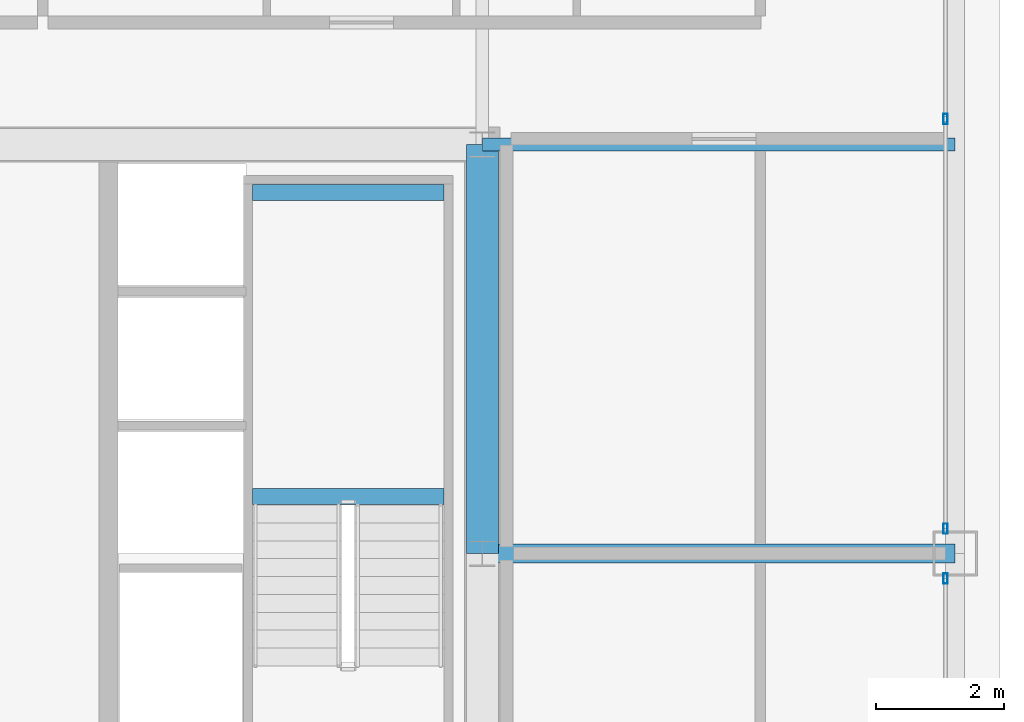
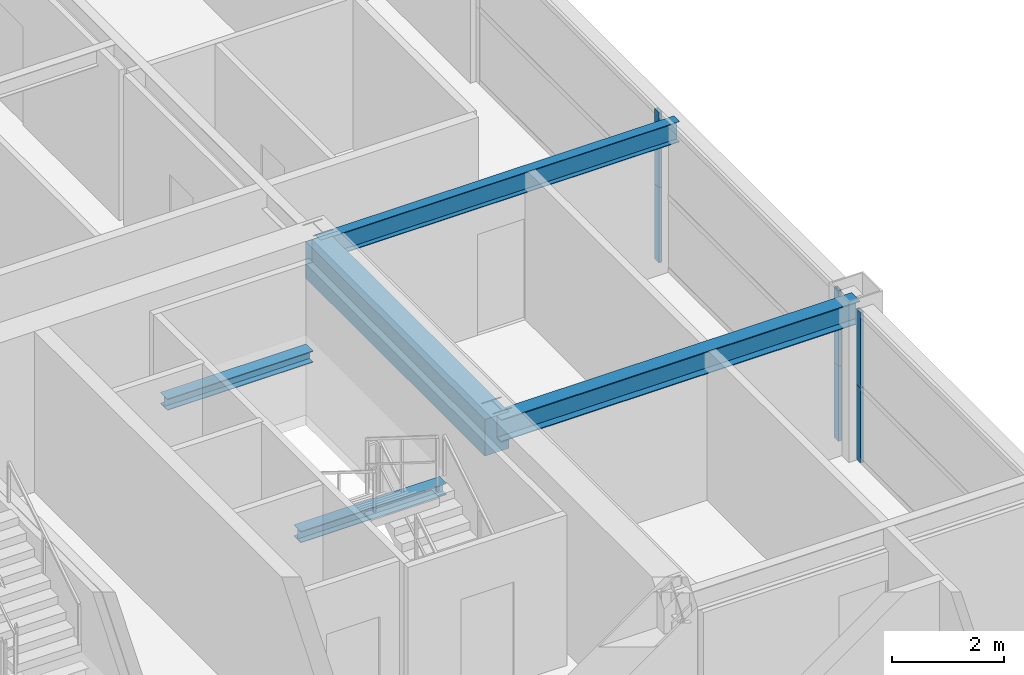
# One storey, part 20 of 37: 6 members, 5 beams, 2 elements without a shape of their own.
"""IFC4 building model written with IfcOpenShell, lengths in metres."""

import ifcopenshell
import ifcopenshell.guid

model = None  # the IFC model being written
_history = None  # IfcOwnerHistory: only IFC2X3 demands one
_inside = {}  # id of a spatial element -> (the spatial element, [elements in it])
_under = {}  # id of a project, library or spatial element -> (it, [spatial elements below it])
_declared = {}  # id of a project -> (the project, [libraries it declares])
_typed = {}  # id of a type object -> (the type object, [elements of that type])
_made_of = {}  # id of a material, layer set ... -> (it, [elements and type objects made of it])


def new_model(schema):
    """Start an empty IFC model of exactly this schema.

    Asked for "IFC4X3", IfcOpenShell would pick the latest addendum, in which some entities
    have other attributes; the version numbers below select the first issue.
    IFC2X3 requires an IfcOwnerHistory on every rooted entity: one is made here for all.
    """
    global model, _history
    if schema == "IFC4X3":
        model = ifcopenshell.file(schema_version=(4, 3, 0, 0))
    else:
        model = ifcopenshell.file(schema=schema)
    _inside.clear()
    _under.clear()
    _declared.clear()
    _typed.clear()
    _made_of.clear()
    _history = None
    if model.schema == "IFC2X3":
        org = make("IfcOrganization", Name="unknown")
        user = make(
            "IfcPersonAndOrganization",
            ThePerson=make("IfcPerson", FamilyName="unknown"),
            TheOrganization=org,
        )
        app = make(
            "IfcApplication",
            ApplicationDeveloper=org,
            Version="unknown",
            ApplicationFullName="unknown",
            ApplicationIdentifier="unknown",
        )
        _history = make(
            "IfcOwnerHistory",
            OwningUser=user,
            OwningApplication=app,
            ChangeAction="ADDED",
            CreationDate=0,
        )
    return model


def make(cls, **values):
    """One entity of the class cls with the attributes given. An attribute that is None is left unset."""
    return model.create_entity(
        cls, **{name: value for name, value in values.items() if value is not None}
    )


def rooted(cls, **values):
    """An entity with a GlobalId (a new one), such as an element, a storey or a relation."""
    return make(cls, GlobalId=ifcopenshell.guid.new(), OwnerHistory=_history, **values)


def si_unit(unit_type, name, prefix=None):
    """IfcSIUnit, for example si_unit("LENGTHUNIT", "METRE", prefix="MILLI")."""
    return make("IfcSIUnit", UnitType=unit_type, Prefix=prefix, Name=name)


def assignment(units):
    """IfcUnitAssignment: the units of a project."""
    return None if units is None else make("IfcUnitAssignment", Units=units)


def point(xyz):
    """IfcCartesianPoint."""
    return None if xyz is None else make("IfcCartesianPoint", Coordinates=xyz)


def direction(xyz):
    """IfcDirection."""
    return None if xyz is None else make("IfcDirection", DirectionRatios=xyz)


def frame(location, z_axis=None, x_axis=None):
    """IfcAxis2Placement3D, a coordinate frame: its origin and axes. An axis left out is left unset."""
    return make(
        "IfcAxis2Placement3D",
        Location=point(location),
        Axis=direction(z_axis),
        RefDirection=direction(x_axis),
    )


def frame_2d(location, x_axis=None):
    """IfcAxis2Placement2D, a coordinate frame in the plane: its origin and x axis."""
    return make(
        "IfcAxis2Placement2D", Location=point(location), RefDirection=direction(x_axis)
    )


def origin():
    """The frame at (0, 0, 0) with its axes left unset."""
    return frame((0.0, 0.0, 0.0))


def origin_2d():
    """The frame at (0, 0) in the plane with its x axis left unset."""
    return frame_2d((0.0, 0.0))


def place(relative_to, where):
    """IfcLocalPlacement: puts the frame where relative to a parent placement (None: the world)."""
    return make(
        "IfcLocalPlacement", PlacementRelTo=relative_to, RelativePlacement=where
    )


def context(
    kind, dimensions, precision=None, world=None, true_north=None, identifier=None
):
    """IfcGeometricRepresentationContext, for example the 3D "Model" context."""
    return make(
        "IfcGeometricRepresentationContext",
        ContextIdentifier=identifier,
        ContextType=kind,
        CoordinateSpaceDimension=dimensions,
        Precision=precision,
        WorldCoordinateSystem=world,
        TrueNorth=true_north,
    )


def subcontext(parent, identifier, kind, view, scale=None):
    """IfcGeometricRepresentationSubContext, for example "Body" below "Model"."""
    return make(
        "IfcGeometricRepresentationSubContext",
        ContextIdentifier=identifier,
        ContextType=kind,
        ParentContext=parent,
        TargetScale=scale,
        TargetView=view,
    )


def project(units=None, contexts=None):
    """IfcProject with its units and contexts."""
    return rooted(
        "IfcProject",
        Name="project",
        RepresentationContexts=contexts,
        UnitsInContext=assignment(units),
    )


def spatial(cls, under=None, at=None, **own):
    """A site, building, storey or space (cls), placed at a placement, below another one or the project."""
    s = rooted(cls, ObjectPlacement=at, **own)
    if under is not None:
        _under.setdefault(under.id(), (under, []))[1].append(s)
    return s


def profile(cls, at=None, kind="AREA", **sizes):
    """A parametric profile (cls). Its sizes go by their IFC names, for example OverallWidth=200.0."""
    return make(cls, ProfileType=kind, Position=at, **sizes)


def rectangle(**sizes):
    """IfcRectangleProfileDef."""
    return profile("IfcRectangleProfileDef", **sizes)


def hollow_rectangle(**sizes):
    """IfcRectangleHollowProfileDef."""
    return profile("IfcRectangleHollowProfileDef", **sizes)


def i_section(**sizes):
    """IfcIShapeProfileDef."""
    return profile("IfcIShapeProfileDef", **sizes)


def extrude(swept, where, along, depth):
    """IfcExtrudedAreaSolid: the profile swept, set in the frame where, extruded along a direction by depth."""
    return make(
        "IfcExtrudedAreaSolid",
        SweptArea=swept,
        Position=where,
        ExtrudedDirection=direction(along),
        Depth=depth,
    )


def shape(context_of_items, identifier, shape_type, items):
    """IfcShapeRepresentation: the items that make up one representation, for example the "Body"."""
    return make(
        "IfcShapeRepresentation",
        ContextOfItems=context_of_items,
        RepresentationIdentifier=identifier,
        RepresentationType=shape_type,
        Items=items,
    )


def source(mapping_origin, context_of_items, identifier, shape_type, items):
    """IfcRepresentationMap: a shape defined once, which mapped items show again and again."""
    return make(
        "IfcRepresentationMap",
        MappingOrigin=mapping_origin,
        MappedRepresentation=shape(context_of_items, identifier, shape_type, items),
    )


def transform(
    local_origin,
    x_axis=None,
    y_axis=None,
    z_axis=None,
    scale=None,
    scale2=None,
    scale3=None,
    uniform=True,
):
    """IfcCartesianTransformationOperator3D, or its non-uniform kind. x_axis, y_axis, z_axis: its Axis1, 2, 3."""
    if uniform:
        return make(
            "IfcCartesianTransformationOperator3D",
            Axis1=direction(x_axis),
            Axis2=direction(y_axis),
            LocalOrigin=point(local_origin),
            Scale=scale,
            Axis3=direction(z_axis),
        )
    return make(
        "IfcCartesianTransformationOperator3DnonUniform",
        Axis1=direction(x_axis),
        Axis2=direction(y_axis),
        LocalOrigin=point(local_origin),
        Scale=scale,
        Axis3=direction(z_axis),
        Scale2=scale2,
        Scale3=scale3,
    )


def mapped(mapping_source, mapping_target):
    """IfcMappedItem: shows the shape of a source again, moved by a transform."""
    return make(
        "IfcMappedItem", MappingSource=mapping_source, MappingTarget=mapping_target
    )


def material(Name=None, Category=None):
    """IfcMaterial."""
    return make("IfcMaterial", Name=Name, Category=Category)


def layer(
    of_material, thickness, ventilated=None, Name=None, Category=None, Priority=None
):
    """IfcMaterialLayer: one layer of a wall or slab, of a material (None: an air gap)."""
    return make(
        "IfcMaterialLayer",
        Material=of_material,
        LayerThickness=thickness,
        IsVentilated=ventilated,
        Name=Name,
        Category=Category,
        Priority=Priority,
    )


def layer_set(layers, Name=None):
    """IfcMaterialLayerSet."""
    return make("IfcMaterialLayerSet", MaterialLayers=layers, LayerSetName=Name)


def material_profile(
    of_material, cross_section, Name=None, Category=None, Priority=None
):
    """IfcMaterialProfile: a cross section and its material."""
    return make(
        "IfcMaterialProfile",
        Name=Name,
        Material=of_material,
        Profile=cross_section,
        Priority=Priority,
        Category=Category,
    )


def profile_set(profiles, Name=None, composite=None):
    """IfcMaterialProfileSet."""
    return make(
        "IfcMaterialProfileSet",
        Name=Name,
        MaterialProfiles=profiles,
        CompositeProfile=composite,
    )


def made_of(thing, what):
    """Note that an element or type object is made of a material, layer set ...; save() writes the relation."""
    if what is not None:
        _made_of.setdefault(what.id(), (what, []))[1].append(thing)
    return thing


def type_object(cls, material=None, **own):
    """A type object (cls), such as IfcWallType, which elements share."""
    return made_of(rooted(cls, **own), material)


def element(
    cls,
    number,
    at=None,
    inside=None,
    cuts=None,
    type_object=None,
    material=None,
    context=None,
    identifier="Body",
    shape_type=None,
    held_by="IfcProductDefinitionShape",
    body=None,
    shapes=None,
    **own,
):
    """One element of the class cls, such as IfcWall. Its Tag is "e" and its number.

    at: its placement. inside: the storey or other place that contains it. cuts: it is an
    opening in that element (IfcRelVoidsElement). A single representation is given by context,
    identifier, shape_type and body (its items); several are given by shapes. held_by: the class
    of the entity that holds the representations. save() writes the other relations.
    """
    e = rooted(cls, Tag="e%d" % number, ObjectPlacement=at, **own)
    if body is not None:
        shapes = [shape(context, identifier, shape_type, body)]
    if shapes is not None:
        e.Representation = make(held_by, Representations=shapes)
    if inside is not None:
        _inside.setdefault(inside.id(), (inside, []))[1].append(e)
    if cuts is not None:
        rooted(
            "IfcRelVoidsElement", RelatingBuildingElement=cuts, RelatedOpeningElement=e
        )
    if type_object is not None:
        _typed.setdefault(type_object.id(), (type_object, []))[1].append(e)
    return made_of(e, material)


def aggregate(whole, parts):
    """IfcRelAggregates: a whole, such as a stair, and the parts it consists of."""
    return rooted("IfcRelAggregates", RelatingObject=whole, RelatedObjects=parts)


def save(model, path):
    """Write the relations noted so far, then the file.

    IfcRelAggregates (storeys below a building ...), IfcRelContainedInSpatialStructure (elements
    in a storey), IfcRelDefinesByType, IfcRelAssociatesMaterial and IfcRelDeclares: one each for
    every whole, place, type object, material and project.
    """
    for whole, parts in _under.values():
        aggregate(whole, parts)
    for where, things in _inside.values():
        rooted(
            "IfcRelContainedInSpatialStructure",
            RelatedElements=things,
            RelatingStructure=where,
        )
    for kind, things in _typed.values():
        rooted("IfcRelDefinesByType", RelatedObjects=things, RelatingType=kind)
    for what, things in _made_of.values():
        rooted("IfcRelAssociatesMaterial", RelatedObjects=things, RelatingMaterial=what)
    for by, libraries in _declared.values():
        rooted("IfcRelDeclares", RelatingContext=by, RelatedDefinitions=libraries)
    model.write(path)


model = new_model("IFC4")

# Units and contexts
model_context = context("Model", 3, precision=1e-05, world=origin(), true_north=direction((0.0, 1.0)))
body_context = subcontext(model_context, "Body", "Model", "MODEL_VIEW")
ifc_project = project(units=[si_unit("LENGTHUNIT", "METRE"), si_unit("AREAUNIT", "SQUARE_METRE"), si_unit("VOLUMEUNIT", "CUBIC_METRE"), si_unit("PLANEANGLEUNIT", "RADIAN"), si_unit("MASSUNIT", "GRAM", prefix="KILO"), si_unit("THERMODYNAMICTEMPERATUREUNIT", "KELVIN"), si_unit("POWERUNIT", "WATT")], contexts=[model_context])

# Site, building, storey
site_placement = place(None, origin())
site = spatial("IfcSite", under=ifc_project, at=site_placement, CompositionType="ELEMENT")
building_placement = place(site_placement, origin())
building = spatial("IfcBuilding", under=site, at=building_placement, Name="Yuzanri Waterfront Tower", CompositionType="ELEMENT")
storey_placement = place(building_placement, frame((0.0, 0.0, 252.10009765625)))
storey = spatial("IfcBuildingStorey", under=building, at=storey_placement, Name="L67", CompositionType="ELEMENT", Elevation=252.10009765625)

# Beams
ifc_material_1 = material(Name="Concrete C50", Category="concrete")
ifc_material_profile_1 = material_profile(ifc_material_1, rectangle(XDim=0.5, YDim=0.800048828125, at=origin_2d()), Name="RC 500x800")
ifc_profile_set_1 = profile_set([ifc_material_profile_1], Name="Concrete C50")
beam_type_1 = type_object("IfcBeamType", Name="Core Coupling Lintel Concrete C50 500x800", PredefinedType="LINTEL", material=ifc_profile_set_1)
shared_shape_1 = source(origin(), body_context, "Body", "SweptSolid", [
    extrude(rectangle(XDim=0.5, YDim=0.800048828125, at=origin_2d()), origin(), (0.0, 0.0, 1.0), 6.39990234375),
])
beam_1_placement = place(storey_placement, frame((50.199951171875, 25.800048828125, 2.8798828125), z_axis=(0.0, 1.0, 0.0), x_axis=(-1.0, 0.0, 0.0)))
element("IfcBeam", 1, at=beam_1_placement, inside=storey, type_object=beam_type_1, Name="L67 Core Tie Beam CE2", PredefinedType="LINTEL", context=body_context, shape_type="MappedRepresentation", body=[
    mapped(shared_shape_1, transform((0.0, 0.0, 0.0), scale=1.0)),
])
ifc_material_2 = material(Name="Steel Q355B", Category="steel")
ifc_material_profile_2 = material_profile(ifc_material_2, i_section(OverallWidth=0.300048828125, OverallDepth=0.488037109375, WebThickness=0.010986328125, FlangeThickness=0.01806640625, at=origin_2d()), Name="HM 488x300x11x18")
ifc_profile_set_2 = profile_set([ifc_material_profile_2], Name="Steel Q355B")
beam_type_2 = type_object("IfcBeamType", Name="Primary Floor Girder Q355B HM 488x300", PredefinedType="BEAM", material=ifc_profile_set_2)
shared_shape_2 = source(origin(), body_context, "Body", "SweptSolid", [
    extrude(i_section(OverallWidth=0.300048828125, OverallDepth=0.488037109375, WebThickness=0.010986328125, FlangeThickness=0.01806640625, at=origin_2d()), origin(), (0.0, 0.0, 1.0), 7.400146484375),
])
beam_2_placement = place(storey_placement, frame((50.199951171875, 25.800048828125, 3.035888671875), z_axis=(1.0, 0.0, 0.0), x_axis=(0.0, 1.0, 0.0)))
element("IfcBeam", 2, at=beam_2_placement, inside=storey, type_object=beam_type_2, Name="L67 East Grid Girder", PredefinedType="BEAM", context=body_context, shape_type="MappedRepresentation", body=[
    mapped(shared_shape_2, transform((0.0, 0.0, 0.0), scale=1.0)),
])
ifc_material_3 = material(Name="Steel Q355B", Category="steel")
ifc_material_profile_3 = material_profile(ifc_material_3, i_section(OverallWidth=0.199951171875, OverallDepth=0.449951171875, WebThickness=0.009033203125, FlangeThickness=0.013916015625, at=origin_2d()), Name="HN 450x200x9x14")
ifc_profile_set_3 = profile_set([ifc_material_profile_3], Name="Steel Q355B")
beam_type_3 = type_object("IfcBeamType", Name="Secondary Floor Beam Q355B HN 450x200", PredefinedType="BEAM", material=ifc_profile_set_3)
shared_shape_3 = source(origin(), body_context, "Body", "SweptSolid", [
    extrude(i_section(OverallWidth=0.199951171875, OverallDepth=0.449951171875, WebThickness=0.009033203125, FlangeThickness=0.013916015625, at=origin_2d()), origin(), (0.0, 0.0, 1.0), 7.400146484375),
])
beam_3_placement = place(storey_placement, frame((50.199951171875, 32.199951171875, 3.054931640625), z_axis=(1.0, 0.0, 0.0), x_axis=(0.0, 1.0, 0.0)))
element("IfcBeam", 3, at=beam_3_placement, inside=storey, type_object=beam_type_3, Name="L67 East-North Core Line Beam", PredefinedType="BEAM", context=body_context, shape_type="MappedRepresentation", body=[
    mapped(shared_shape_3, transform((0.0, 0.0, 0.0), scale=1.0)),
])

# Curtain wall, members
ifc_material_4 = material(Name="Anodized Architectural Bronze", Category="metal")
ifc_layer = layer(ifc_material_4, 0.159912109375)
ifc_layer_set = layer_set([ifc_layer], Name="Anodized Architectural Bronze")
curtain_wall_type = type_object("IfcCurtainWallType", Name="Anodized Bronze Mid-Rise Residential Acoustic Unitized Curtain Wall 7200", PredefinedType="NOTDEFINED", material=ifc_layer_set)
curtain_wall_1_placement = place(storey_placement, origin())
curtain_wall_1 = element("IfcCurtainWall", 4, at=curtain_wall_1_placement, inside=storey, type_object=curtain_wall_type, Name="L67 Curtain Wall CW-L67-EL", PredefinedType="NOTDEFINED")
ifc_material_5 = material(Name="Anodized Architectural Bronze", Category="metal")
ifc_material_profile_4 = material_profile(ifc_material_5, hollow_rectangle(XDim=0.06494140625, YDim=0.159912109375, WallThickness=0.00341796875, at=origin_2d()), Name="CWM 65x160")
ifc_profile_set_4 = profile_set([ifc_material_profile_4], Name="Anodized Architectural Bronze")
member_type = type_object("IfcMemberType", Name="Anodized Bronze Upper-Zone Curtain-Wall Mullion 65x160", PredefinedType="MULLION", material=ifc_profile_set_4)
shared_shape_4 = source(origin(), body_context, "Body", "SweptSolid", [
    extrude(hollow_rectangle(XDim=0.06494140625, YDim=0.159912109375, WallThickness=0.00341796875, at=origin_2d()), origin(), (0.0, 0.0, 1.0), 1.637939453125),
])
member_1_placement = place(storey_placement, frame((57.449951171875, 25.409912109375, 0.0), z_axis=(0.0, 0.0, 1.0), x_axis=(1.0, 0.0, 0.0)))
member_1 = element("IfcMember", 5, at=member_1_placement, type_object=member_type, Name="CW-L67-EL Lower Mullion 02", PredefinedType="MULLION", context=body_context, shape_type="MappedRepresentation", body=[
    mapped(shared_shape_4, transform((0.0, 0.0, 0.0), scale=1.0)),
])
member_2_placement = place(storey_placement, frame((57.449951171875, 25.409912109375, 1.641845703125), z_axis=(0.0, 0.0, 1.0), x_axis=(1.0, 0.0, 0.0)))
member_2 = element("IfcMember", 6, at=member_2_placement, type_object=member_type, Name="CW-L67-EL Upper Mullion 02", PredefinedType="MULLION", context=body_context, shape_type="MappedRepresentation", body=[
    mapped(shared_shape_4, transform((0.0, 0.0, 0.0), scale=1.0)),
])
aggregate(curtain_wall_1, [member_1, member_2])

curtain_wall_2_placement = place(storey_placement, origin())
curtain_wall_2 = element("IfcCurtainWall", 7, at=curtain_wall_2_placement, inside=storey, type_object=curtain_wall_type, Name="L67 Curtain Wall CW-L67-ER", PredefinedType="NOTDEFINED")
member_3_placement = place(storey_placement, frame((57.449951171875, 26.18994140625, 0.0), z_axis=(0.0, 0.0, 1.0), x_axis=(1.0, 0.0, 0.0)))
member_3 = element("IfcMember", 8, at=member_3_placement, type_object=member_type, Name="CW-L67-ER Lower Mullion 00", PredefinedType="MULLION", context=body_context, shape_type="MappedRepresentation", body=[
    mapped(shared_shape_4, transform((0.0, 0.0, 0.0), scale=1.0)),
])
member_4_placement = place(storey_placement, frame((57.449951171875, 26.18994140625, 1.641845703125), z_axis=(0.0, 0.0, 1.0), x_axis=(1.0, 0.0, 0.0)))
member_4 = element("IfcMember", 9, at=member_4_placement, type_object=member_type, Name="CW-L67-ER Upper Mullion 00", PredefinedType="MULLION", context=body_context, shape_type="MappedRepresentation", body=[
    mapped(shared_shape_4, transform((0.0, 0.0, 0.0), scale=1.0)),
])
member_5_placement = place(storey_placement, frame((57.449951171875, 32.60009765625, 0.0), z_axis=(0.0, 0.0, 1.0), x_axis=(1.0, 0.0, 0.0)))
member_5 = element("IfcMember", 10, at=member_5_placement, type_object=member_type, Name="CW-L67-ER Lower Mullion 01", PredefinedType="MULLION", context=body_context, shape_type="MappedRepresentation", body=[
    mapped(shared_shape_4, transform((0.0, 0.0, 0.0), scale=1.0)),
])
member_6_placement = place(storey_placement, frame((57.449951171875, 32.60009765625, 1.641845703125), z_axis=(0.0, 0.0, 1.0), x_axis=(1.0, 0.0, 0.0)))
member_6 = element("IfcMember", 11, at=member_6_placement, type_object=member_type, Name="CW-L67-ER Upper Mullion 01", PredefinedType="MULLION", context=body_context, shape_type="MappedRepresentation", body=[
    mapped(shared_shape_4, transform((0.0, 0.0, 0.0), scale=1.0)),
])
aggregate(curtain_wall_2, [member_3, member_4, member_5, member_6])

# Beams
ifc_material_6 = material(Name="Steel Q355B", Category="steel")
ifc_material_profile_5 = material_profile(ifc_material_6, i_section(OverallWidth=0.25, OverallDepth=0.25, WebThickness=0.009033203125, FlangeThickness=0.013916015625, at=origin_2d()), Name="HW 250x250x9x14")
ifc_profile_set_5 = profile_set([ifc_material_profile_5], Name="Steel Q355B")
beam_type_4 = type_object("IfcBeamType", Name="Stair Landing Support Beam Q355B HW 250x250", PredefinedType="BEAM", material=ifc_profile_set_5)
shared_shape_5 = source(origin(), body_context, "Body", "SweptSolid", [
    extrude(i_section(OverallWidth=0.25, OverallDepth=0.25, WebThickness=0.009033203125, FlangeThickness=0.013916015625, at=origin_2d()), origin(), (0.0, 0.0, 1.0), 3.0),
])
for number, where, z_axis, x_axis, name in (
    (12, (46.60009765625, 26.68994140625, 1.4248046875), (1.0, 0.0, 0.0), (0.0, 1.0, 0.0), "L67 Stair Landing Support Beam ST-02-L67-L1-1"),
    (13, (46.60009765625, 31.449951171875, 1.4248046875), (1.0, 0.0, 0.0), (0.0, 1.0, 0.0), "L67 Stair Landing Support Beam ST-02-L67-L1-2"),
):
    element("IfcBeam", number, at=place(storey_placement, frame(where, z_axis=z_axis, x_axis=x_axis)), inside=storey, type_object=beam_type_4, Name=name, PredefinedType="BEAM", context=body_context, shape_type="MappedRepresentation", body=[
        mapped(shared_shape_5, transform((0.0, 0.0, 0.0), scale=1.0)),
    ])

save(model, "model.ifc")
